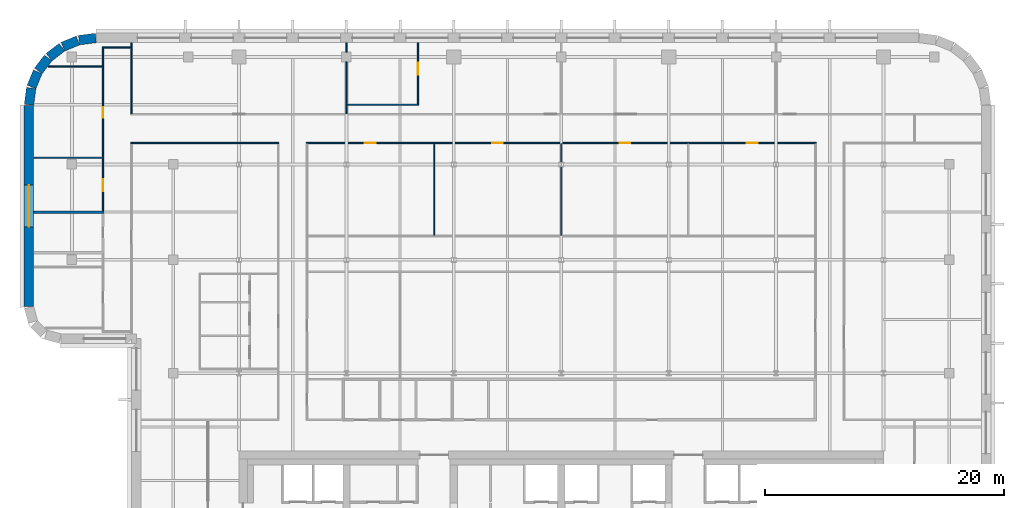
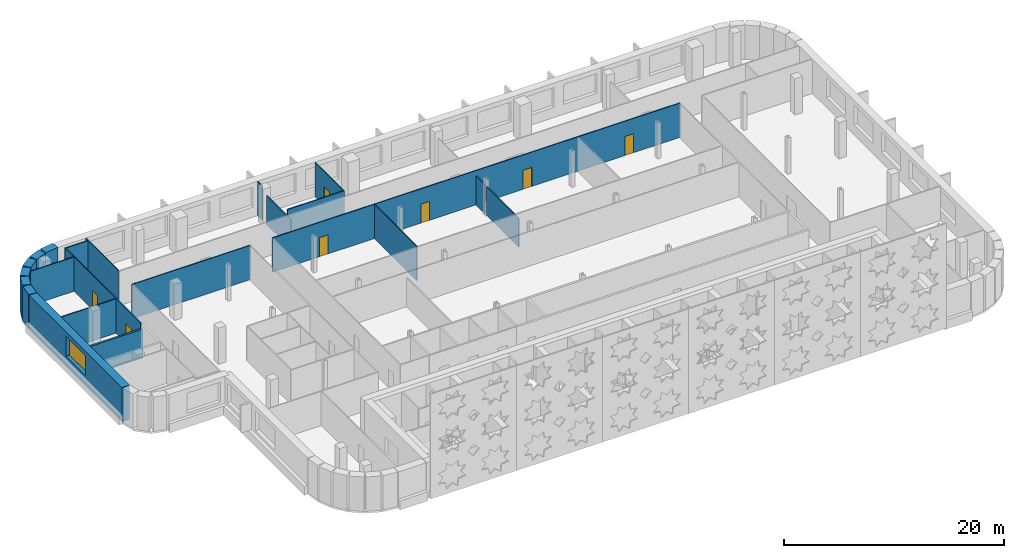
# One storey, part 10 of 18: 22 walls, 7 doors, 1 window, 8 openings.
"""IFC4 building model written with IfcOpenShell, lengths in metres."""

from ifc_helpers import new_model, si_unit, direction, frame, frame_2d, origin, place, context, subcontext, project, spatial, rectangle, extrude, material, layer, layer_set, type_object, element, fill, save


model = new_model("IFC4")

# Units and contexts
model_context = context("Model", 3, precision=1e-05, world=origin(), true_north=direction((0.0, 1.0)))
body_context = subcontext(model_context, "Body", "Model", "MODEL_VIEW")
ifc_project = project(units=[si_unit("LENGTHUNIT", "METRE"), si_unit("AREAUNIT", "SQUARE_METRE"), si_unit("VOLUMEUNIT", "CUBIC_METRE"), si_unit("PLANEANGLEUNIT", "RADIAN"), si_unit("MASSUNIT", "GRAM", prefix="KILO")], contexts=[model_context])

# Site, building, storey
site_placement = place(None, origin())
site = spatial("IfcSite", under=ifc_project, at=site_placement, CompositionType="ELEMENT")
building_placement = place(site_placement, origin())
building = spatial("IfcBuilding", under=site, at=building_placement, Name="Zellij Exchange Tower", CompositionType="ELEMENT")
storey_placement = place(building_placement, frame((0.0, 0.0, 240.5)))
storey = spatial("IfcBuildingStorey", under=building, at=storey_placement, Name="L56", CompositionType="ELEMENT", Elevation=240.5)

# Walls
ifc_material_1 = material(Name="Precast concrete C40/50", Category="concrete")
ifc_layer_1 = layer(ifc_material_1, 0.800048828125)
ifc_layer_set_1 = layer_set([ifc_layer_1], Name="Precast concrete C40/50")
wall_type_1 = type_object("IfcWallType", Name="ENV-EW1 Precast stone-piered wall 800", PredefinedType="SOLIDWALL", material=ifc_layer_set_1)
wall_1_placement = place(storey_placement, frame((-38.999755859375, 32.5966796875, 0.0), z_axis=(0.0, 0.0, 1.0), x_axis=(-0.99144603414, -0.130517283865, 0.0)))
element("IfcWall", 1, at=wall_1_placement, inside=storey, type_object=wall_type_1, Name="fac.L56.15", PredefinedType="SOLIDWALL", context=body_context, shape_type="SweptSolid", body=[
    extrude(rectangle(XDim=1.408447265625, YDim=0.800048828125, at=frame_2d((0.7041015625, 0.0))), origin(), (0.0, 0.0, 1.0), 3.800048828125),
])
wall_2_placement = place(storey_placement, frame((-40.497314453125, 32.3857421875, 0.0), z_axis=(0.0, 0.0, 1.0), x_axis=(-0.923847774587, -0.38276009378, 0.0)))
element("IfcWall", 2, at=wall_2_placement, inside=storey, type_object=wall_type_1, Name="fac.L56.16", PredefinedType="SOLIDWALL", context=body_context, shape_type="SweptSolid", body=[
    extrude(rectangle(XDim=1.35546875, YDim=0.800048828125, at=frame_2d((0.677734375, 0.0))), origin(), (0.0, 0.0, 1.0), 3.800048828125),
])
for number, where, z_axis, x_axis, name in (
    (3, (-41.840087890625, 31.814697265625, 0.0), (0.0, 0.0, 1.0), (-0.793272915452, -0.608866226366, 0.0), "fac.L56.17"),
    (4, (-42.9892578125, 30.91552734375, 0.0), (0.0, 0.0, 1.0), (-0.608866226366, -0.793272915452, 0.0), "fac.L56.18"),
):
    element("IfcWall", number, at=place(storey_placement, frame(where, z_axis=z_axis, x_axis=x_axis)), inside=storey, type_object=wall_type_1, Name=name, PredefinedType="SOLIDWALL", context=body_context, shape_type="SweptSolid", body=[
        extrude(rectangle(XDim=1.355712890625, YDim=0.800048828125, at=frame_2d((0.677734375, 0.0))), origin(), (0.0, 0.0, 1.0), 3.800048828125),
    ])
wall_3_placement = place(storey_placement, frame((-43.866943359375, 29.74951171875, 0.0), z_axis=(0.0, 0.0, 1.0), x_axis=(-0.38276009378, -0.923847774587, 0.0)))
element("IfcWall", 5, at=wall_3_placement, inside=storey, type_object=wall_type_1, Name="fac.L56.19", PredefinedType="SOLIDWALL", context=body_context, shape_type="SweptSolid", body=[
    extrude(rectangle(XDim=1.35546875, YDim=0.800048828125, at=frame_2d((0.677734375, 0.0))), origin(), (0.0, 0.0, 1.0), 3.800048828125),
])
wall_4_placement = place(storey_placement, frame((-44.412841796875, 28.396240234375, 0.0), z_axis=(0.0, 0.0, 1.0), x_axis=(-0.130517283865, -0.99144603414, 0.0)))
element("IfcWall", 6, at=wall_4_placement, inside=storey, type_object=wall_type_1, Name="fac.L56.20", PredefinedType="SOLIDWALL", context=body_context, shape_type="SweptSolid", body=[
    extrude(rectangle(XDim=1.408447265625, YDim=0.800048828125, at=frame_2d((0.7041015625, 0.0))), origin(), (0.0, 0.0, 1.0), 3.800048828125),
])

# Wall, opening, window
wall_5_placement = place(storey_placement, frame((-44.60009765625, 26.947509765625, 0.0), z_axis=(0.0, 0.0, 1.0), x_axis=(0.0, -1.0, 0.0)))
wall_5 = element("IfcWall", 7, at=wall_5_placement, inside=storey, type_object=wall_type_1, Name="fac.L56.21", PredefinedType="SOLIDWALL", context=body_context, shape_type="SweptSolid", body=[
    extrude(rectangle(XDim=16.842041015625, YDim=0.800048828125, at=frame_2d((8.4208984375, 0.0))), origin(), (0.0, 0.0, 1.0), 3.800048828125),
])
opening_1_placement = place(wall_5_placement, frame((6.684326171875, 0.0, 1.10009765625)))
opening_1 = element("IfcOpeningElement", 8, at=opening_1_placement, cuts=wall_5, Name="Opening FZ4.20", PredefinedType="OPENING", context=body_context, shape_type="SweptSolid", body=[
    extrude(rectangle(XDim=3.5, YDim=2.199951171875, at=frame_2d((1.75, 1.10009765625))), frame((0.0, 0.412109375, 0.0), z_axis=(0.0, -1.0, 0.0), x_axis=(1.0, 0.0, 0.0)), (0.0, 0.0, 1.0), 0.823974609375),
])
ifc_material_2 = material(Name="Aluminium frame with insulating glass", Category="aluminium")
window_type = type_object("IfcWindowType", Name="ENV-W7 Window 3500x2200", PartitioningType="SINGLE_PANEL", PredefinedType="WINDOW", material=ifc_material_2)
window_placement = place(opening_1_placement, origin())
window = element("IfcWindow", 9, at=window_placement, inside=storey, type_object=window_type, Name="Window FZ4.20", OverallHeight=2.199951171875, OverallWidth=3.5, PartitioningType="SINGLE_PANEL", PredefinedType="WINDOW", context=body_context, shape_type="SweptSolid", body=[
    extrude(rectangle(XDim=3.5, YDim=2.199951171875, at=frame_2d((1.75, 1.10009765625))), frame((0.0, 0.030029296875, 0.0), z_axis=(0.0, -1.0, 0.0), x_axis=(1.0, 0.0, 0.0)), (0.0, 0.0, 1.0), 0.06005859375),
])
fill(opening_1, window)

# Walls
ifc_material_3 = material(Name="Blockwork partition", Category="masonry")
ifc_layer_2 = layer(ifc_material_3, 0.199951171875)
ifc_layer_set_2 = layer_set([ifc_layer_2], Name="Blockwork partition")
wall_type_2 = type_object("IfcWallType", Name="FIT-BLOCKWORK-200", PredefinedType="PARTITIONING", material=ifc_layer_set_2)
wall_6_placement = place(storey_placement, frame((-44.199951171875, 18.0, 0.0), z_axis=(0.0, 0.0, 1.0), x_axis=(1.0, 0.0, 0.0)))
element("IfcWall", 10, at=wall_6_placement, inside=storey, type_object=wall_type_2, Name="FIT-BLOCKWORK-200 042", PredefinedType="PARTITIONING", context=body_context, shape_type="SweptSolid", body=[
    extrude(rectangle(XDim=5.89990234375, YDim=0.199951171875, at=frame_2d((2.949951171875, 0.0))), origin(), (0.0, 0.0, 1.0), 3.200439453125),
])
ifc_material_4 = material(Name="Gypsum board partition on steel studs", Category="steel")
ifc_layer_3 = layer(ifc_material_4, 0.10009765625)
ifc_layer_set_3 = layer_set([ifc_layer_3], Name="Gypsum board partition on steel studs")
wall_type_3 = type_object("IfcWallType", Name="FIT-PARTITION-100", PredefinedType="PARTITIONING", material=ifc_layer_set_3)
wall_7_placement = place(storey_placement, frame((-10.64990234375, 16.050048828125, 0.0), z_axis=(0.0, 0.0, 1.0), x_axis=(0.0, 1.0, 0.0)))
element("IfcWall", 11, at=wall_7_placement, inside=storey, type_object=wall_type_3, Name="FIT-PARTITION-100 038", PredefinedType="PARTITIONING", context=body_context, shape_type="SweptSolid", body=[
    extrude(rectangle(XDim=7.699951171875, YDim=0.10009765625, at=frame_2d((3.85009765625, 0.0))), origin(), (0.0, 0.0, 1.0), 3.800048828125),
])
wall_8_placement = place(storey_placement, frame((0.0, 16.050048828125, 0.0), z_axis=(0.0, 0.0, 1.0), x_axis=(0.0, 1.0, 0.0)))
element("IfcWall", 12, at=wall_8_placement, inside=storey, type_object=wall_type_3, Name="FIT-PARTITION-100 039", PredefinedType="PARTITIONING", context=body_context, shape_type="SweptSolid", body=[
    extrude(rectangle(XDim=5.7568359375, YDim=0.10009765625, at=frame_2d((2.87841796875, 0.0))), origin(), (0.0, 0.0, 1.0), 3.19287109375),
])
wall_9_placement = place(storey_placement, frame((0.0, 22.193115234375, 0.0), z_axis=(0.0, 0.0, 1.0), x_axis=(0.0, 1.0, 0.0)))
element("IfcWall", 13, at=wall_9_placement, inside=storey, type_object=wall_type_3, Name="FIT-PARTITION-100 040", PredefinedType="PARTITIONING", context=body_context, shape_type="SweptSolid", body=[
    extrude(rectangle(XDim=1.556884765625, YDim=0.10009765625, at=frame_2d((0.7783203125, 0.0))), origin(), (0.0, 0.0, 1.0), 3.19287109375),
])

# Wall, openings, doors
wall_10_placement = place(storey_placement, frame((-38.39990234375, 18.10009765625, 0.0), z_axis=(0.0, 0.0, 1.0), x_axis=(0.0, 1.0, 0.0)))
wall_10 = element("IfcWall", 14, at=wall_10_placement, inside=storey, type_object=wall_type_3, Name="FIT-PARTITION-100 043", PredefinedType="PARTITIONING", context=body_context, shape_type="SweptSolid", body=[
    extrude(rectangle(XDim=13.64990234375, YDim=0.10009765625, at=frame_2d((6.824951171875, 0.0))), origin(), (0.0, 0.0, 1.0), 3.800048828125),
])
opening_2_placement = place(wall_10_placement, frame((1.64990234375, 0.0, 0.0)))
opening_2 = element("IfcOpeningElement", 15, at=opening_2_placement, cuts=wall_10, Name="Opening O4C.19", PredefinedType="OPENING", context=body_context, shape_type="SweptSolid", body=[
    extrude(rectangle(XDim=1.0, YDim=2.10009765625, at=frame_2d((0.5, 1.050048828125))), frame((0.0, 0.06201171875, 0.0), z_axis=(0.0, -1.0, 0.0), x_axis=(1.0, 0.0, 0.0)), (0.0, 0.0, 1.0), 0.1240234375),
])
opening_3_placement = place(wall_10_placement, frame((7.800048828125, 0.0, 0.0)))
opening_3 = element("IfcOpeningElement", 16, at=opening_3_placement, cuts=wall_10, Name="Opening O4C.28", PredefinedType="OPENING", context=body_context, shape_type="SweptSolid", body=[
    extrude(rectangle(XDim=0.89990234375, YDim=2.10009765625, at=frame_2d((0.449951171875, 1.050048828125))), frame((0.0, 0.06201171875, 0.0), z_axis=(0.0, -1.0, 0.0), x_axis=(1.0, 0.0, 0.0)), (0.0, 0.0, 1.0), 0.1240234375),
])
ifc_material_5 = material(Name="Timber door set", Category="wood")
door_type_1 = type_object("IfcDoorType", Name="FIT-D1-ROOM-900X2100", OperationType="SINGLE_SWING_LEFT", PredefinedType="DOOR", material=ifc_material_5)
door_1_placement = place(opening_3_placement, origin())
door_1 = element("IfcDoor", 17, at=door_1_placement, inside=storey, type_object=door_type_1, Name="Door O4C.28", OperationType="SINGLE_SWING_RIGHT", OverallHeight=2.10009765625, OverallWidth=0.89990234375, PredefinedType="DOOR", context=body_context, shape_type="SweptSolid", body=[
    extrude(rectangle(XDim=0.89990234375, YDim=2.10009765625, at=frame_2d((0.449951171875, 1.050048828125))), frame((0.0, 0.02490234375, 0.0), z_axis=(0.0, -1.0, 0.0), x_axis=(1.0, 0.0, 0.0)), (0.0, 0.0, 1.0), 0.050048828125),
])
fill(opening_3, door_1)
door_type_2 = type_object("IfcDoorType", Name="FIT-D2-WIDE-1000X2100", OperationType="SINGLE_SWING_LEFT", PredefinedType="DOOR", material=ifc_material_5)
door_2_placement = place(opening_2_placement, origin())
door_2 = element("IfcDoor", 18, at=door_2_placement, inside=storey, type_object=door_type_2, Name="Door O4C.19", OperationType="SINGLE_SWING_RIGHT", OverallHeight=2.10009765625, OverallWidth=1.0, PredefinedType="DOOR", context=body_context, shape_type="SweptSolid", body=[
    extrude(rectangle(XDim=1.0, YDim=2.10009765625, at=frame_2d((0.5, 1.050048828125))), frame((0.0, 0.02490234375, 0.0), z_axis=(0.0, -1.0, 0.0), x_axis=(1.0, 0.0, 0.0)), (0.0, 0.0, 1.0), 0.050048828125),
])
fill(opening_2, door_2)

# Walls
wall_11_placement = place(storey_placement, frame((-44.199951171875, 22.550048828125, 0.0), z_axis=(0.0, 0.0, 1.0), x_axis=(1.0, 0.0, 0.0)))
element("IfcWall", 19, at=wall_11_placement, inside=storey, type_object=wall_type_3, Name="FIT-PARTITION-100 044", PredefinedType="PARTITIONING", context=body_context, shape_type="SweptSolid", body=[
    extrude(rectangle(XDim=5.75, YDim=0.10009765625, at=frame_2d((2.875, 0.0))), origin(), (0.0, 0.0, 1.0), 3.800048828125),
])
wall_12_placement = place(storey_placement, frame((-36.050048828125, 23.800048828125, 0.0), z_axis=(0.0, 0.0, 1.0), x_axis=(1.0, 0.0, 0.0)))
element("IfcWall", 20, at=wall_12_placement, inside=storey, type_object=wall_type_3, Name="FIT-PARTITION-100 045", PredefinedType="PARTITIONING", context=body_context, shape_type="SweptSolid", body=[
    extrude(rectangle(XDim=12.400146484375, YDim=0.10009765625, at=frame_2d((6.2001953125, 0.0))), origin(), (0.0, 0.0, 1.0), 3.800048828125),
])

# Wall, openings, doors
wall_13_placement = place(storey_placement, frame((-21.35009765625, 23.800048828125, 0.0), z_axis=(0.0, 0.0, 1.0), x_axis=(1.0, 0.0, 0.0)))
wall_13 = element("IfcWall", 21, at=wall_13_placement, inside=storey, type_object=wall_type_3, Name="FIT-PARTITION-100 046", PredefinedType="PARTITIONING", context=body_context, shape_type="SweptSolid", body=[
    extrude(rectangle(XDim=42.7001953125, YDim=0.10009765625, at=frame_2d((21.35009765625, 0.0))), origin(), (0.0, 0.0, 1.0), 3.800048828125),
])
opening_4_placement = place(wall_13_placement, frame((4.89990234375, 0.0, 0.0)))
opening_4 = element("IfcOpeningElement", 22, at=opening_4_placement, cuts=wall_13, Name="Opening O4C.20", PredefinedType="OPENING", context=body_context, shape_type="SweptSolid", body=[
    extrude(rectangle(XDim=0.89990234375, YDim=2.10009765625, at=frame_2d((0.449951171875, 1.050048828125))), frame((0.0, 0.06201171875, 0.0), z_axis=(0.0, -1.0, 0.0), x_axis=(1.0, 0.0, 0.0)), (0.0, 0.0, 1.0), 0.1240234375),
])
opening_5_placement = place(wall_13_placement, frame((15.550048828125, 0.0, 0.0)))
opening_5 = element("IfcOpeningElement", 23, at=opening_5_placement, cuts=wall_13, Name="Opening O4C.21", PredefinedType="OPENING", context=body_context, shape_type="SweptSolid", body=[
    extrude(rectangle(XDim=0.89990234375, YDim=2.10009765625, at=frame_2d((0.449951171875, 1.050048828125))), frame((0.0, 0.06201171875, 0.0), z_axis=(0.0, -1.0, 0.0), x_axis=(1.0, 0.0, 0.0)), (0.0, 0.0, 1.0), 0.1240234375),
])
opening_6_placement = place(wall_13_placement, frame((26.25, 0.0, 0.0)))
opening_6 = element("IfcOpeningElement", 24, at=opening_6_placement, cuts=wall_13, Name="Opening O4C.22", PredefinedType="OPENING", context=body_context, shape_type="SweptSolid", body=[
    extrude(rectangle(XDim=0.89990234375, YDim=2.10009765625, at=frame_2d((0.449951171875, 1.050048828125))), frame((0.0, 0.06201171875, 0.0), z_axis=(0.0, -1.0, 0.0), x_axis=(1.0, 0.0, 0.0)), (0.0, 0.0, 1.0), 0.1240234375),
])
opening_7_placement = place(wall_13_placement, frame((36.89990234375, 0.0, 0.0)))
opening_7 = element("IfcOpeningElement", 25, at=opening_7_placement, cuts=wall_13, Name="Opening O4C.23", PredefinedType="OPENING", context=body_context, shape_type="SweptSolid", body=[
    extrude(rectangle(XDim=0.89990234375, YDim=2.10009765625, at=frame_2d((0.449951171875, 1.050048828125))), frame((0.0, 0.06201171875, 0.0), z_axis=(0.0, -1.0, 0.0), x_axis=(1.0, 0.0, 0.0)), (0.0, 0.0, 1.0), 0.1240234375),
])
door_3_placement = place(opening_4_placement, origin())
door_3 = element("IfcDoor", 26, at=door_3_placement, inside=storey, type_object=door_type_1, Name="Door O4C.20", OperationType="SINGLE_SWING_LEFT", OverallHeight=2.10009765625, OverallWidth=0.89990234375, PredefinedType="DOOR", context=body_context, shape_type="SweptSolid", body=[
    extrude(rectangle(XDim=0.89990234375, YDim=2.10009765625, at=frame_2d((0.449951171875, 1.050048828125))), frame((0.0, 0.02490234375, 0.0), z_axis=(0.0, -1.0, 0.0), x_axis=(1.0, 0.0, 0.0)), (0.0, 0.0, 1.0), 0.050048828125),
])
fill(opening_4, door_3)
door_4_placement = place(opening_5_placement, origin())
door_4 = element("IfcDoor", 27, at=door_4_placement, inside=storey, type_object=door_type_1, Name="Door O4C.21", OperationType="SINGLE_SWING_LEFT", OverallHeight=2.10009765625, OverallWidth=0.89990234375, PredefinedType="DOOR", context=body_context, shape_type="SweptSolid", body=[
    extrude(rectangle(XDim=0.89990234375, YDim=2.10009765625, at=frame_2d((0.449951171875, 1.050048828125))), frame((0.0, 0.02490234375, 0.0), z_axis=(0.0, -1.0, 0.0), x_axis=(1.0, 0.0, 0.0)), (0.0, 0.0, 1.0), 0.050048828125),
])
fill(opening_5, door_4)
door_5_placement = place(opening_6_placement, origin())
door_5 = element("IfcDoor", 28, at=door_5_placement, inside=storey, type_object=door_type_1, Name="Door O4C.22", OperationType="SINGLE_SWING_RIGHT", OverallHeight=2.10009765625, OverallWidth=0.89990234375, PredefinedType="DOOR", context=body_context, shape_type="SweptSolid", body=[
    extrude(rectangle(XDim=0.89990234375, YDim=2.10009765625, at=frame_2d((0.449951171875, 1.050048828125))), frame((0.0, 0.02490234375, 0.0), z_axis=(0.0, -1.0, 0.0), x_axis=(1.0, 0.0, 0.0)), (0.0, 0.0, 1.0), 0.050048828125),
])
fill(opening_6, door_5)
door_6_placement = place(opening_7_placement, origin())
door_6 = element("IfcDoor", 29, at=door_6_placement, inside=storey, type_object=door_type_1, Name="Door O4C.23", OperationType="SINGLE_SWING_RIGHT", OverallHeight=2.10009765625, OverallWidth=0.89990234375, PredefinedType="DOOR", context=body_context, shape_type="SweptSolid", body=[
    extrude(rectangle(XDim=0.89990234375, YDim=2.10009765625, at=frame_2d((0.449951171875, 1.050048828125))), frame((0.0, 0.02490234375, 0.0), z_axis=(0.0, -1.0, 0.0), x_axis=(1.0, 0.0, 0.0)), (0.0, 0.0, 1.0), 0.050048828125),
])
fill(opening_7, door_6)

# Walls
wall_14_placement = place(storey_placement, frame((-36.0, 26.25, 0.0), z_axis=(0.0, 0.0, 1.0), x_axis=(0.0, 1.0, 0.0)))
element("IfcWall", 30, at=wall_14_placement, inside=storey, type_object=wall_type_3, Name="FIT-PARTITION-100 050", PredefinedType="PARTITIONING", context=body_context, shape_type="SweptSolid", body=[
    extrude(rectangle(XDim=5.949951171875, YDim=0.10009765625, at=frame_2d((2.97509765625, 0.0))), origin(), (0.0, 0.0, 1.0), 3.800048828125),
])
wall_15_placement = place(storey_placement, frame((-18.0, 26.25, 0.0), z_axis=(0.0, 0.0, 1.0), x_axis=(0.0, 1.0, 0.0)))
element("IfcWall", 31, at=wall_15_placement, inside=storey, type_object=wall_type_3, Name="FIT-PARTITION-100 051", PredefinedType="PARTITIONING", context=body_context, shape_type="SweptSolid", body=[
    extrude(rectangle(XDim=4.35009765625, YDim=0.10009765625, at=frame_2d((2.175048828125, 0.0))), origin(), (0.0, 0.0, 1.0), 3.19287109375),
])
wall_16_placement = place(storey_placement, frame((-18.0, 31.39990234375, 0.0), z_axis=(0.0, 0.0, 1.0), x_axis=(0.0, 1.0, 0.0)))
element("IfcWall", 32, at=wall_16_placement, inside=storey, type_object=wall_type_3, Name="FIT-PARTITION-100 052", PredefinedType="PARTITIONING", context=body_context, shape_type="SweptSolid", body=[
    extrude(rectangle(XDim=0.800048828125, YDim=0.10009765625, at=frame_2d((0.39990234375, 0.0))), origin(), (0.0, 0.0, 1.0), 3.800048828125),
])
wall_17_placement = place(storey_placement, frame((-17.949951171875, 27.0, 0.0), z_axis=(0.0, 0.0, 1.0), x_axis=(1.0, 0.0, 0.0)))
element("IfcWall", 33, at=wall_17_placement, inside=storey, type_object=wall_type_3, Name="FIT-PARTITION-100 057", PredefinedType="PARTITIONING", context=body_context, shape_type="SweptSolid", body=[
    extrude(rectangle(XDim=6.0, YDim=0.10009765625, at=frame_2d((3.0, 0.0))), origin(), (0.0, 0.0, 1.0), 3.800048828125),
])

# Wall, opening, door
wall_18_placement = place(storey_placement, frame((-12.0, 27.050048828125, 0.0), z_axis=(0.0, 0.0, 1.0), x_axis=(0.0, 1.0, 0.0)))
wall_18 = element("IfcWall", 34, at=wall_18_placement, inside=storey, type_object=wall_type_3, Name="FIT-PARTITION-100 058", PredefinedType="PARTITIONING", context=body_context, shape_type="SweptSolid", body=[
    extrude(rectangle(XDim=5.14990234375, YDim=0.10009765625, at=frame_2d((2.574951171875, 0.0))), origin(), (0.0, 0.0, 1.0), 3.800048828125),
])
opening_8_placement = place(wall_18_placement, frame((2.449951171875, 0.0, 0.0)))
opening_8 = element("IfcOpeningElement", 35, at=opening_8_placement, cuts=wall_18, Name="Opening O4C.29", PredefinedType="OPENING", context=body_context, shape_type="SweptSolid", body=[
    extrude(rectangle(XDim=1.0, YDim=2.10009765625, at=frame_2d((0.5, 1.050048828125))), frame((0.0, 0.06201171875, 0.0), z_axis=(0.0, -1.0, 0.0), x_axis=(1.0, 0.0, 0.0)), (0.0, 0.0, 1.0), 0.1240234375),
])
door_7_placement = place(opening_8_placement, origin())
door_7 = element("IfcDoor", 36, at=door_7_placement, inside=storey, type_object=door_type_2, Name="Door O4C.29", OperationType="SINGLE_SWING_LEFT", OverallHeight=2.10009765625, OverallWidth=1.0, PredefinedType="DOOR", context=body_context, shape_type="SweptSolid", body=[
    extrude(rectangle(XDim=1.0, YDim=2.10009765625, at=frame_2d((0.5, 1.050048828125))), frame((0.0, 0.02490234375, 0.0), z_axis=(0.0, -1.0, 0.0), x_axis=(1.0, 0.0, 0.0)), (0.0, 0.0, 1.0), 0.050048828125),
])
fill(opening_8, door_7)

# Walls
wall_19_placement = place(storey_placement, frame((-43.0, 30.199951171875, 0.0), z_axis=(0.0, 0.0, 1.0), x_axis=(1.0, 0.0, 0.0)))
element("IfcWall", 37, at=wall_19_placement, inside=storey, type_object=wall_type_3, Name="FIT-PARTITION-100 059", PredefinedType="PARTITIONING", context=body_context, shape_type="SweptSolid", body=[
    extrude(rectangle(XDim=4.550048828125, YDim=0.10009765625, at=frame_2d((2.27490234375, 0.0))), origin(), (0.0, 0.0, 1.0), 3.800048828125),
])
wall_20_placement = place(storey_placement, frame((-38.449951171875, 31.800048828125, 0.0), z_axis=(0.0, 0.0, 1.0), x_axis=(1.0, 0.0, 0.0)))
element("IfcWall", 38, at=wall_20_placement, inside=storey, type_object=wall_type_3, Name="FIT-PARTITION-100 060", PredefinedType="PARTITIONING", context=body_context, shape_type="SweptSolid", body=[
    extrude(rectangle(XDim=2.39990234375, YDim=0.10009765625, at=frame_2d((1.199951171875, 0.0))), origin(), (0.0, 0.0, 1.0), 3.800048828125),
])

save(model, "model.ifc")
